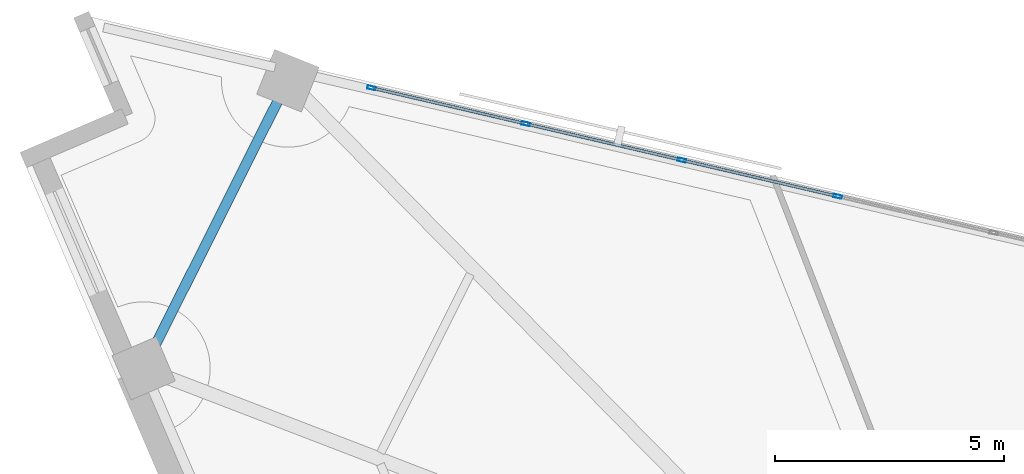
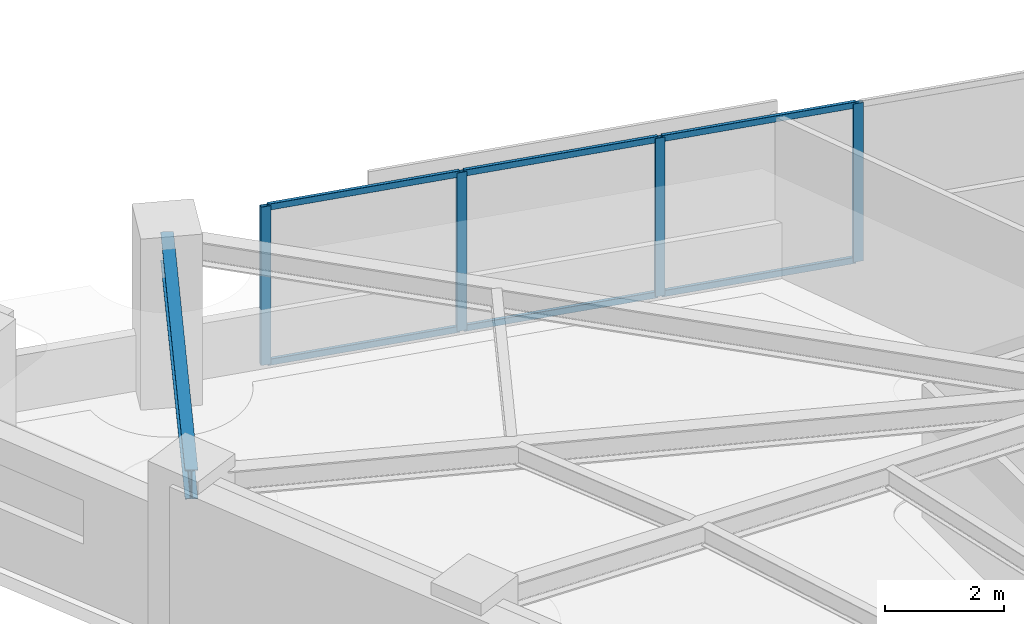
# One storey, part 6 of 14: 10 members, 1 beam, 1 element without a shape of its own.
"""IFC4 building model written with IfcOpenShell, lengths in metres."""

from ifc_helpers import new_model, si_unit, direction, frame, origin, origin_2d, place, context, subcontext, project, spatial, hollow_rectangle, i_section, extrude, material, material_profile, profile_set, type_object, element, aggregate, save


model = new_model("IFC4")

# Units and contexts
model_context = context("Model", 3, precision=1e-05, world=origin(), true_north=direction((0.0, 1.0)))
body_context = subcontext(model_context, "Body", "Model", "MODEL_VIEW")
ifc_project = project(units=[si_unit("LENGTHUNIT", "METRE"), si_unit("AREAUNIT", "SQUARE_METRE"), si_unit("VOLUMEUNIT", "CUBIC_METRE"), si_unit("PLANEANGLEUNIT", "RADIAN"), si_unit("MASSUNIT", "GRAM", prefix="KILO")], contexts=[model_context])

# Site, building, storey
site_placement = place(None, origin())
site = spatial("IfcSite", under=ifc_project, at=site_placement, CompositionType="ELEMENT")
building_placement = place(site_placement, origin())
building = spatial("IfcBuilding", under=site, at=building_placement, Name="Narakoshi Arena Tower", CompositionType="ELEMENT")
storey_placement = place(building_placement, frame((0.0, 0.0, 189.659912109375)))
storey = spatial("IfcBuildingStorey", under=building, at=storey_placement, Name="L51", CompositionType="ELEMENT", Elevation=189.659912109375)

# Beam
ifc_material_1 = material(Name="Structural steel S355J2", Category="steel")
ifc_material_profile_1 = material_profile(ifc_material_1, i_section(OverallWidth=0.219970703125, OverallDepth=0.60009765625, WebThickness=0.011962890625, FlangeThickness=0.01904296875, FilletRadius=0.02392578125, at=origin_2d()), Name="IPE600")
ifc_profile_set_1 = profile_set([ifc_material_profile_1], Name="Structural steel S355J2")
beam_type = type_object("IfcBeamType", Name="BM-EDGE-600", PredefinedType="BEAM", material=ifc_profile_set_1)
beam_placement = place(storey_placement, frame((60.12158203125, 68.55126953125, 2.960205078125), z_axis=(-0.448312643015, -0.893876822674, 0.0), x_axis=(0.893876822674, -0.448312643015, 0.0)))
element("IfcBeam", 1, at=beam_placement, inside=storey, type_object=beam_type, Name="L51 Perimeter Edge Girder 07", PredefinedType="BEAM", context=body_context, shape_type="SweptSolid", body=[
    extrude(i_section(OverallWidth=0.219970703125, OverallDepth=0.60009765625, WebThickness=0.011962890625, FlangeThickness=0.01904296875, FilletRadius=0.02392578125, at=origin_2d()), origin(), (0.0, 0.0, 1.0), 7.017333984375),
])

# Curtain wall, members
ifc_material_2 = material(Name="Anodised bronze aluminium 6063-T6", Category="aluminium")
curtain_wall_type = type_object("IfcCurtainWallType", Name="CW-HYP-MID", PredefinedType="NOTDEFINED", material=ifc_material_2)
curtain_wall_placement = place(storey_placement, origin())
curtain_wall = element("IfcCurtainWall", 2, at=curtain_wall_placement, inside=storey, type_object=curtain_wall_type, Name="L51 Folded Hypotenuse Curtain Wall 2-1", PredefinedType="NOTDEFINED")
ifc_material_profile_2 = material_profile(ifc_material_2, hollow_rectangle(XDim=0.074951171875, YDim=0.179931640625, WallThickness=0.00390625, OuterFilletRadius=0.0048828125, at=origin_2d()), Name="MUL180x75x4")
ifc_profile_set_2 = profile_set([ifc_material_profile_2], Name="Anodised bronze aluminium 6063-T6")
member_type_1 = type_object("IfcMemberType", Name="MEM-MUL-180", PredefinedType="MULLION", material=ifc_profile_set_2)
member_1_placement = place(storey_placement, frame((72.109619140625, 66.027587890625, 0.0), z_axis=(0.0, 0.0, 1.0), x_axis=(-0.226721182724, -0.973959704148, 0.0)))
member_1 = element("IfcMember", 3, at=member_1_placement, type_object=member_type_1, Name="CW-02 mullion 5", PredefinedType="MULLION", context=body_context, shape_type="SweptSolid", body=[
    extrude(hollow_rectangle(XDim=0.074951171875, YDim=0.179931640625, WallThickness=0.00390625, OuterFilletRadius=0.0048828125, at=origin_2d()), origin(), (0.0, 0.0, 1.0), 3.260009765625),
])
member_2_placement = place(storey_placement, frame((68.708740234375, 66.8193359375, 0.0), z_axis=(0.0, 0.0, 1.0), x_axis=(-0.226721182724, -0.973959704148, 0.0)))
member_2 = element("IfcMember", 4, at=member_2_placement, type_object=member_type_1, Name="CW-02 mullion 6", PredefinedType="MULLION", context=body_context, shape_type="SweptSolid", body=[
    extrude(hollow_rectangle(XDim=0.074951171875, YDim=0.179931640625, WallThickness=0.00390625, OuterFilletRadius=0.0048828125, at=origin_2d()), origin(), (0.0, 0.0, 1.0), 3.260009765625),
])
member_3_placement = place(storey_placement, frame((65.307861328125, 67.611083984375, 0.0), z_axis=(0.0, 0.0, 1.0), x_axis=(-0.226721182724, -0.973959704148, 0.0)))
member_3 = element("IfcMember", 5, at=member_3_placement, type_object=member_type_1, Name="CW-02 mullion 7", PredefinedType="MULLION", context=body_context, shape_type="SweptSolid", body=[
    extrude(hollow_rectangle(XDim=0.074951171875, YDim=0.179931640625, WallThickness=0.00390625, OuterFilletRadius=0.0048828125, at=origin_2d()), origin(), (0.0, 0.0, 1.0), 3.260009765625),
])
member_4_placement = place(storey_placement, frame((61.943359375, 68.394287109375, 0.0), z_axis=(0.0, 0.0, 1.0), x_axis=(-0.226721182724, -0.973959704148, 0.0)))
member_4 = element("IfcMember", 6, at=member_4_placement, type_object=member_type_1, Name="CW-02 mullion 8", PredefinedType="MULLION", context=body_context, shape_type="SweptSolid", body=[
    extrude(hollow_rectangle(XDim=0.074951171875, YDim=0.179931640625, WallThickness=0.00390625, OuterFilletRadius=0.0048828125, at=origin_2d()), origin(), (0.0, 0.0, 1.0), 3.260009765625),
])
ifc_material_profile_3 = material_profile(ifc_material_2, hollow_rectangle(XDim=0.06494140625, YDim=0.1298828125, WallThickness=0.00390625, OuterFilletRadius=0.0048828125, at=origin_2d()), Name="TRN130x65x4")
ifc_profile_set_3 = profile_set([ifc_material_profile_3], Name="Anodised bronze aluminium 6063-T6")
member_type_2 = type_object("IfcMemberType", Name="MEM-TRN-130", PredefinedType="USERDEFINED", material=ifc_profile_set_3)
member_5_placement = place(storey_placement, frame((72.072998046875, 66.0361328125, 0.032470703125), z_axis=(-0.973960713384, 0.226716847155, 0.0), x_axis=(-0.226716847155, -0.973960713384, 0.0)))
member_5 = element("IfcMember", 7, at=member_5_placement, type_object=member_type_2, Name="CW-02 transom 5.1", ObjectType="TRANSOM", PredefinedType="USERDEFINED", context=body_context, shape_type="SweptSolid", body=[
    extrude(hollow_rectangle(XDim=0.06494140625, YDim=0.1298828125, WallThickness=0.00390625, OuterFilletRadius=0.0048828125, at=origin_2d()), origin(), (0.0, 0.0, 1.0), 3.416748046875),
])
member_6_placement = place(storey_placement, frame((72.072998046875, 66.0361328125, 3.2275390625), z_axis=(-0.973960713384, 0.226716847155, 0.0), x_axis=(-0.226716847155, -0.973960713384, 0.0)))
member_6 = element("IfcMember", 8, at=member_6_placement, type_object=member_type_2, Name="CW-02 transom 5.2", ObjectType="TRANSOM", PredefinedType="USERDEFINED", context=body_context, shape_type="SweptSolid", body=[
    extrude(hollow_rectangle(XDim=0.06494140625, YDim=0.1298828125, WallThickness=0.00390625, OuterFilletRadius=0.0048828125, at=origin_2d()), origin(), (0.0, 0.0, 1.0), 3.416748046875),
])
member_7_placement = place(storey_placement, frame((68.672119140625, 66.827880859375, 0.032470703125), z_axis=(-0.973960713384, 0.226716847155, 0.0), x_axis=(-0.226716847155, -0.973960713384, 0.0)))
member_7 = element("IfcMember", 9, at=member_7_placement, type_object=member_type_2, Name="CW-02 transom 6.1", ObjectType="TRANSOM", PredefinedType="USERDEFINED", context=body_context, shape_type="SweptSolid", body=[
    extrude(hollow_rectangle(XDim=0.06494140625, YDim=0.1298828125, WallThickness=0.00390625, OuterFilletRadius=0.0048828125, at=origin_2d()), origin(), (0.0, 0.0, 1.0), 3.416748046875),
])
member_8_placement = place(storey_placement, frame((68.672119140625, 66.827880859375, 3.2275390625), z_axis=(-0.973960713384, 0.226716847155, 0.0), x_axis=(-0.226716847155, -0.973960713384, 0.0)))
member_8 = element("IfcMember", 10, at=member_8_placement, type_object=member_type_2, Name="CW-02 transom 6.2", ObjectType="TRANSOM", PredefinedType="USERDEFINED", context=body_context, shape_type="SweptSolid", body=[
    extrude(hollow_rectangle(XDim=0.06494140625, YDim=0.1298828125, WallThickness=0.00390625, OuterFilletRadius=0.0048828125, at=origin_2d()), origin(), (0.0, 0.0, 1.0), 3.416748046875),
])
member_9_placement = place(storey_placement, frame((65.271240234375, 67.61962890625, 0.032470703125), z_axis=(-0.97396204172, 0.226711140636, 0.0), x_axis=(-0.226711140636, -0.97396204172, 0.0)))
member_9 = element("IfcMember", 11, at=member_9_placement, type_object=member_type_2, Name="CW-02 transom 7.1", ObjectType="TRANSOM", PredefinedType="USERDEFINED", context=body_context, shape_type="SweptSolid", body=[
    extrude(hollow_rectangle(XDim=0.06494140625, YDim=0.1298828125, WallThickness=0.00390625, OuterFilletRadius=0.0048828125, at=origin_2d()), origin(), (0.0, 0.0, 1.0), 3.379150390625),
])
member_10_placement = place(storey_placement, frame((65.271240234375, 67.61962890625, 3.2275390625), z_axis=(-0.97396204172, 0.226711140636, 0.0), x_axis=(-0.226711140636, -0.97396204172, 0.0)))
member_10 = element("IfcMember", 12, at=member_10_placement, type_object=member_type_2, Name="CW-02 transom 7.2", ObjectType="TRANSOM", PredefinedType="USERDEFINED", context=body_context, shape_type="SweptSolid", body=[
    extrude(hollow_rectangle(XDim=0.06494140625, YDim=0.1298828125, WallThickness=0.00390625, OuterFilletRadius=0.0048828125, at=origin_2d()), origin(), (0.0, 0.0, 1.0), 3.379150390625),
])
aggregate(curtain_wall, [member_1, member_2, member_3, member_4, member_5, member_6, member_7, member_8, member_9, member_10])

save(model, "model.ifc")
